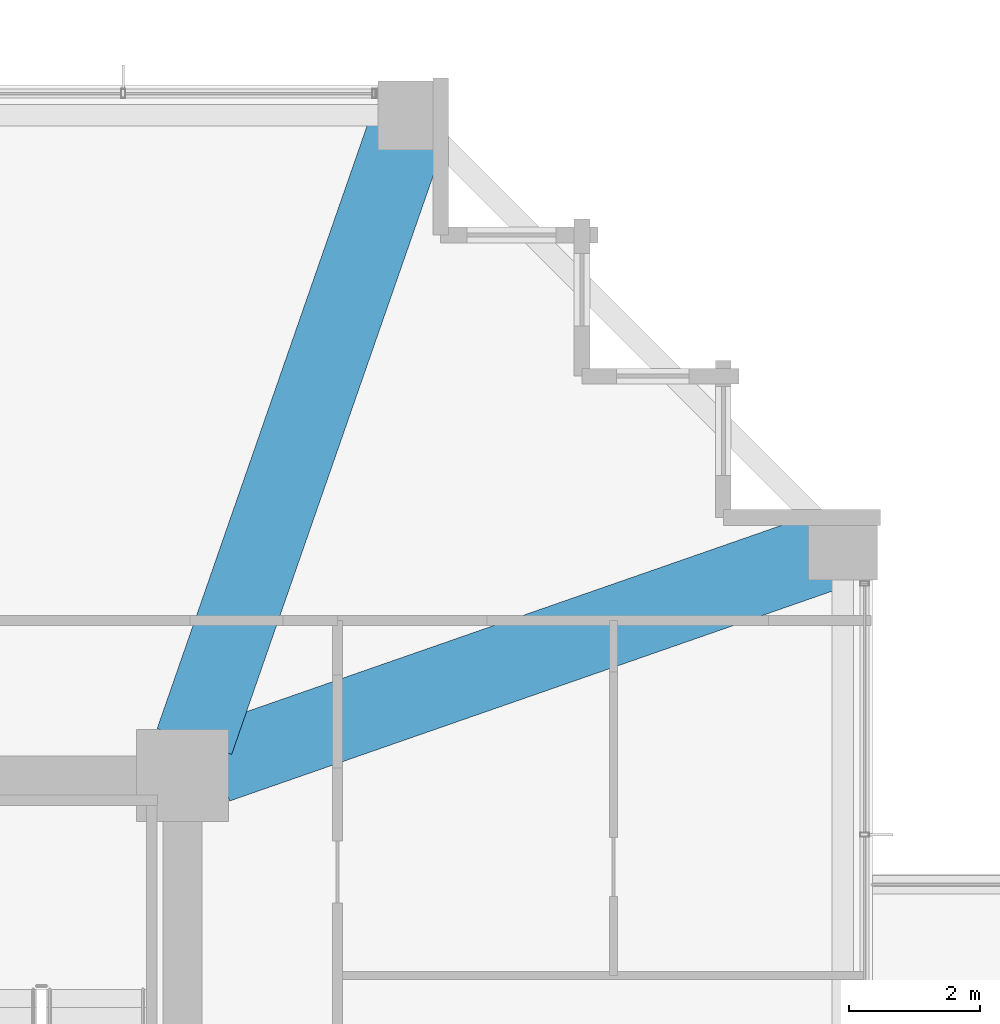
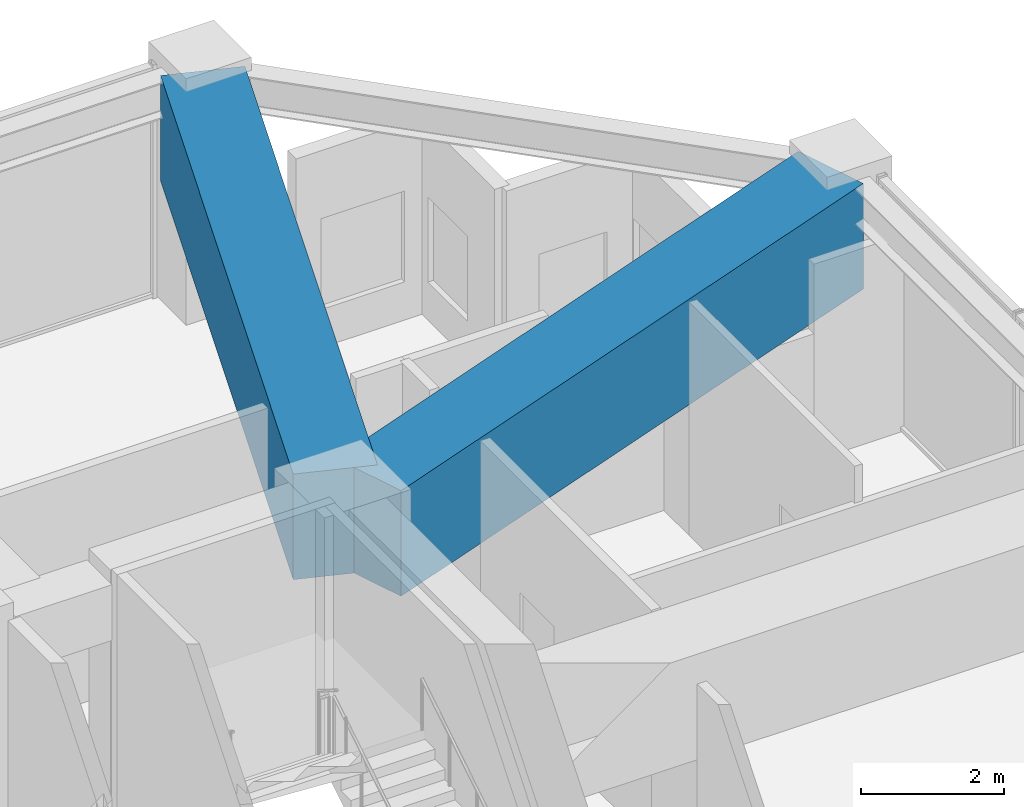
# One storey, part 25 of 40: 2 beams.
"""IFC4 building model written with IfcOpenShell, lengths in metres."""

from ifc_helpers import new_model, si_unit, direction, frame, origin, origin_2d, place, context, subcontext, project, spatial, rectangle, extrude, material, material_profile, profile_set, type_object, element, save


model = new_model("IFC4")

# Units and contexts
model_context = context("Model", 3, precision=1e-05, world=origin(), true_north=direction((0.0, 1.0)))
body_context = subcontext(model_context, "Body", "Model", "MODEL_VIEW")
ifc_project = project(units=[si_unit("LENGTHUNIT", "METRE"), si_unit("AREAUNIT", "SQUARE_METRE"), si_unit("VOLUMEUNIT", "CUBIC_METRE"), si_unit("PLANEANGLEUNIT", "RADIAN"), si_unit("MASSUNIT", "GRAM", prefix="KILO")], contexts=[model_context])

# Site, building, storey
site_placement = place(None, origin())
site = spatial("IfcSite", under=ifc_project, at=site_placement, CompositionType="ELEMENT")
building_placement = place(site_placement, origin())
building = spatial("IfcBuilding", under=site, at=building_placement, Name="Kolvaren Belvedere", CompositionType="ELEMENT")
storey_placement = place(building_placement, frame((0.0, 0.0, 68.0)))
storey = spatial("IfcBuildingStorey", under=building, at=storey_placement, Name="L19", CompositionType="ELEMENT", Elevation=68.0)

# Beams
ifc_material = material(Name="Concrete C50/60", Category="concrete")
ifc_material_profile = material_profile(ifc_material, rectangle(XDim=1.199951171875, YDim=1.800048828125, at=origin_2d()), Name="RC 1200X1800")
ifc_profile_set = profile_set([ifc_material_profile], Name="Concrete C50/60")
beam_type = type_object("IfcBeamType", Name="BM-TG-1800", PredefinedType="BEAM", material=ifc_profile_set)
for number, where, z_axis, x_axis, name in (
    (1, (10.080810546875, 10.41943359375, 3.080078125), (0.328880894453, 0.944371408538, 0.0), (-0.944371408538, 0.328880894453, 0.0), "L19 Corner Core-to-Perimeter Girder CC3-N4"),
    (2, (10.41943359375, 10.080810546875, 3.080078125), (0.944371408538, 0.328880894453, 0.0), (-0.328880894453, 0.944371408538, 0.0), "L19 Corner Core-to-Perimeter Girder CC3-E4"),
):
    element("IfcBeam", number, at=place(storey_placement, frame(where, z_axis=z_axis, x_axis=x_axis)), inside=storey, type_object=beam_type, Name=name, PredefinedType="BEAM", context=body_context, shape_type="SweptSolid", body=[
        extrude(rectangle(XDim=1.199951171875, YDim=1.800048828125, at=origin_2d()), origin(), (0.0, 0.0, 1.0), 9.882080078125),
    ])

save(model, "model.ifc")
